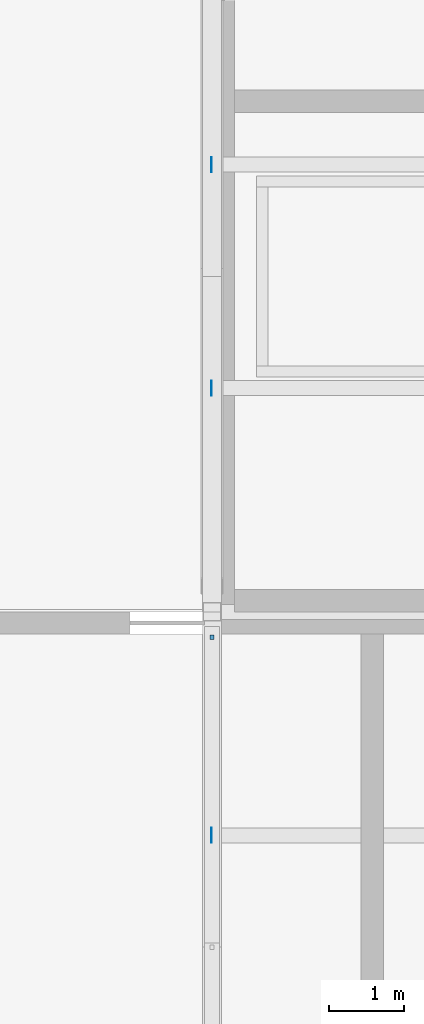
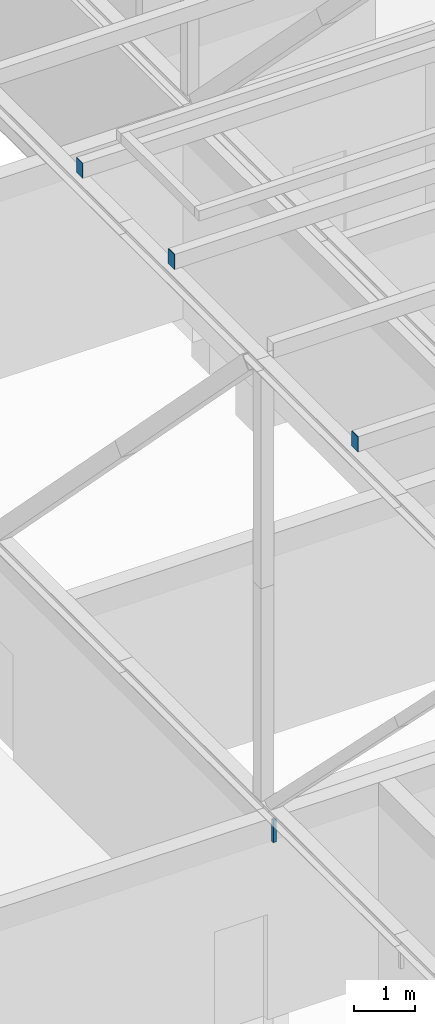
# One storey, part 213 of 646: 4 discrete accessories.
"""IFC4 building model written with IfcOpenShell, lengths in metres."""

from ifc_helpers import new_model, si_unit, direction, frame, origin, origin_2d, place, context, subcontext, project, spatial, rectangle, extrude, material, layer, layer_set, type_object, element, save


model = new_model("IFC4")

# Units and contexts
model_context = context("Model", 3, precision=1e-05, world=origin(), true_north=direction((0.0, 1.0)))
body_context = subcontext(model_context, "Body", "Model", "MODEL_VIEW")
ifc_project = project(units=[si_unit("LENGTHUNIT", "METRE"), si_unit("AREAUNIT", "SQUARE_METRE"), si_unit("VOLUMEUNIT", "CUBIC_METRE"), si_unit("PLANEANGLEUNIT", "RADIAN"), si_unit("MASSUNIT", "GRAM", prefix="KILO")], contexts=[model_context])

# Site, building, storey
site_placement = place(None, origin())
site = spatial("IfcSite", under=ifc_project, at=site_placement, CompositionType="ELEMENT")
building_placement = place(site_placement, origin())
building = spatial("IfcBuilding", under=site, at=building_placement, Name="Silverbay Arena", CompositionType="ELEMENT")
storey_placement = place(building_placement, frame((0.0, 0.0, 33.5)))
storey = spatial("IfcBuildingStorey", under=building, at=storey_placement, Name="L05", CompositionType="ELEMENT", Elevation=33.5)

# Discrete accessories
ifc_material_1 = material(Name="Steel S355", Category="steel")
discrete_accessory_type_1 = type_object("IfcDiscreteAccessoryType", Name="Ceiling hanger", PredefinedType="BRACKET", material=ifc_material_1)
discrete_accessory_placement = place(storey_placement, frame((180.0, 44.659912109375, 3.5498046875), z_axis=(0.0, 0.0, 1.0), x_axis=(1.0, 0.0, 0.0)))
element("IfcDiscreteAccessory", 1, at=discrete_accessory_placement, inside=storey, type_object=discrete_accessory_type_1, Name="Ceiling hanger", PredefinedType="BRACKET", context=body_context, shape_type="SweptSolid", body=[
    extrude(rectangle(XDim=0.06005859375, YDim=0.06005859375, at=origin_2d()), origin(), (0.0, 0.0, 1.0), 0.449951171875),
])
ifc_material_2 = material(Name="Steel S355", Category="steel")
ifc_layer = layer(ifc_material_2, 0.011962890625)
ifc_layer_set = layer_set([ifc_layer], Name="Steel S355")
discrete_accessory_type_2 = type_object("IfcDiscreteAccessoryType", Name="Purlin end plate 12", PredefinedType="USERDEFINED", material=ifc_layer_set)
for number, where, z_axis, x_axis, name in (
    (2, (180.0, 42.0, 13.14990234375), (-1.0, 0.0, 0.0), (0.0, -1.0, 0.0), "Purlin end plate"),
    (3, (180.0, 48.0, 13.14990234375), (-1.0, 0.0, 0.0), (0.0, -1.0, 0.0), "Purlin end plate"),
    (4, (180.0, 51.0, 13.14990234375), (-1.0, 0.0, 0.0), (0.0, -1.0, 0.0), "Purlin end plate"),
):
    element("IfcDiscreteAccessory", number, at=place(storey_placement, frame(where, z_axis=z_axis, x_axis=x_axis)), inside=storey, type_object=discrete_accessory_type_2, Name=name, ObjectType="END PLATE", PredefinedType="USERDEFINED", context=body_context, shape_type="SweptSolid", body=[
        extrude(rectangle(XDim=0.199951171875, YDim=0.300048828125, at=origin_2d()), origin(), (0.0, 0.0, 1.0), 0.011962890625),
    ])

save(model, "model.ifc")
